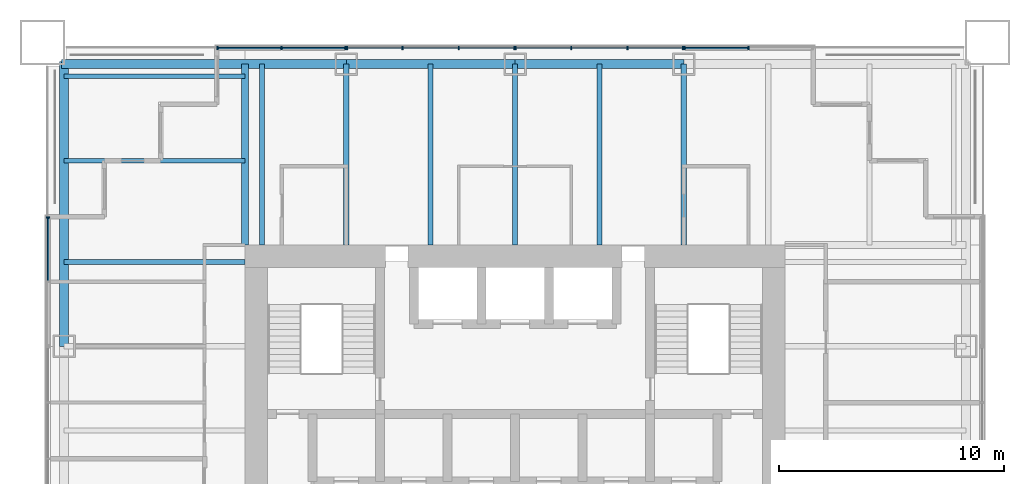
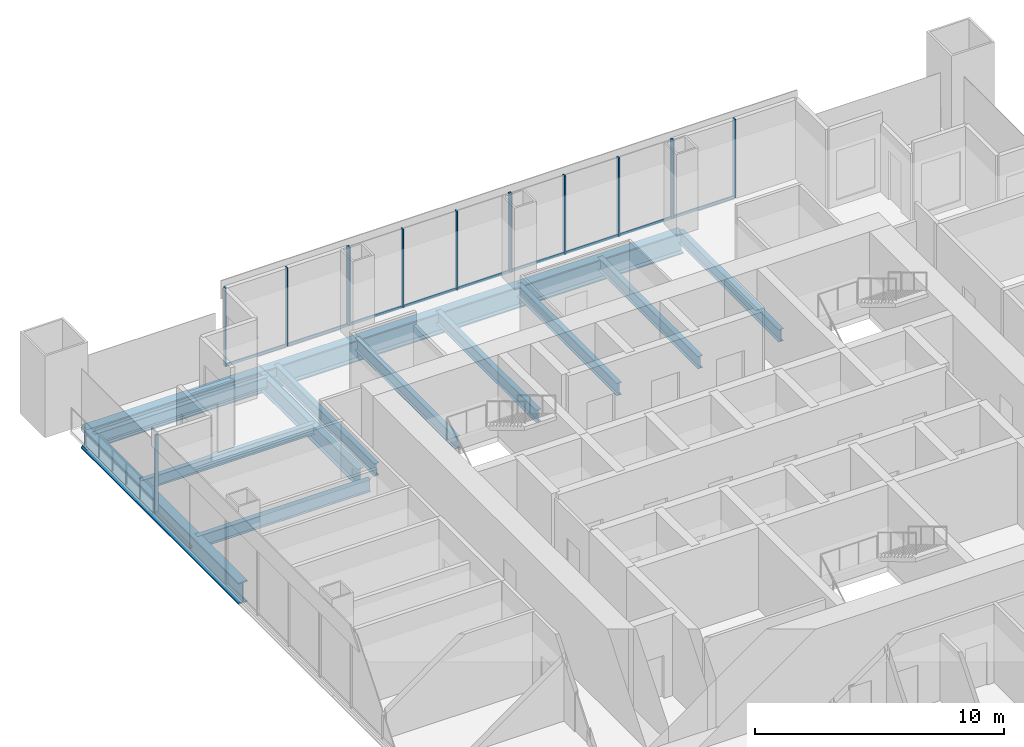
# One storey, part 6 of 14: 24 members, 14 beams, 5 elements without a shape of their own.
"""IFC4 building model written with IfcOpenShell, lengths in metres."""

from ifc_helpers import new_model, si_unit, direction, frame, origin, origin_2d, place, context, subcontext, project, spatial, rectangle, i_section, extrude, material, material_profile, profile_set, type_object, element, aggregate, save


model = new_model("IFC4")

# Units and contexts
model_context = context("Model", 3, precision=1e-05, world=origin(), true_north=direction((0.0, 1.0)))
body_context = subcontext(model_context, "Body", "Model", "MODEL_VIEW")
ifc_project = project(units=[si_unit("LENGTHUNIT", "METRE"), si_unit("AREAUNIT", "SQUARE_METRE"), si_unit("VOLUMEUNIT", "CUBIC_METRE"), si_unit("PLANEANGLEUNIT", "RADIAN"), si_unit("MASSUNIT", "GRAM", prefix="KILO")], contexts=[model_context])

# Site, building, storey
site_placement = place(None, origin())
site = spatial("IfcSite", under=ifc_project, at=site_placement, CompositionType="ELEMENT")
building_placement = place(site_placement, origin())
building = spatial("IfcBuilding", under=site, at=building_placement, Name="Tarangal Relay Tower", CompositionType="ELEMENT")
storey_placement = place(building_placement, frame((0.0, 0.0, 303.89990234375)))
storey = spatial("IfcBuildingStorey", under=building, at=storey_placement, Name="L67", CompositionType="ELEMENT", Elevation=303.89990234375)

# Beams
ifc_material_1 = material(Name="Steel ASTM A992", Category="steel")
ifc_material_profile_1 = material_profile(ifc_material_1, i_section(OverallWidth=0.209228515625, OverallDepth=0.533447265625, WebThickness=0.01025390625, FlangeThickness=0.015625, at=origin_2d()), Name="W21X62")
ifc_profile_set_1 = profile_set([ifc_material_profile_1], Name="Steel ASTM A992")
beam_type_1 = type_object("IfcBeamType", Name="Corner beam W21X62", PredefinedType="JOIST", material=ifc_profile_set_1)
for number, where, z_axis, x_axis, name in (
    (1, (-12.0, 15.75, -0.41650390625), (-1.0, 0.0, 0.0), (0.0, -1.0, 0.0), "Corner beam CB12 W L67"),
    (2, (-12.0, 19.5, -0.41650390625), (-1.0, 0.0, 0.0), (0.0, -1.0, 0.0), "Corner beam CB12 W L67"),
):
    element("IfcBeam", number, at=place(storey_placement, frame(where, z_axis=z_axis, x_axis=x_axis)), inside=storey, type_object=beam_type_1, Name=name, PredefinedType="JOIST", context=body_context, shape_type="SweptSolid", body=[
        extrude(i_section(OverallWidth=0.209228515625, OverallDepth=0.533447265625, WebThickness=0.01025390625, FlangeThickness=0.015625, at=origin_2d()), origin(), (0.0, 0.0, 1.0), 8.0400390625),
    ])
ifc_material_profile_2 = material_profile(ifc_material_1, i_section(OverallWidth=0.2919921875, OverallDepth=0.8408203125, WebThickness=0.0146484375, FlangeThickness=0.021728515625, at=origin_2d()), Name="W33X130")
ifc_profile_set_2 = profile_set([ifc_material_profile_2], Name="Steel ASTM A992")
beam_type_2 = type_object("IfcBeamType", Name="Corner girder W33X130", PredefinedType="BEAM", material=ifc_profile_set_2)
beam_1_placement = place(storey_placement, frame((-12.0, 12.0, -0.5703125), z_axis=(0.0, 1.0, 0.0), x_axis=(-1.0, 0.0, 0.0)))
element("IfcBeam", 3, at=beam_1_placement, inside=storey, type_object=beam_type_2, Name="Corner girder CG5 W L67", PredefinedType="BEAM", context=body_context, shape_type="SweptSolid", body=[
    extrude(i_section(OverallWidth=0.2919921875, OverallDepth=0.8408203125, WebThickness=0.0146484375, FlangeThickness=0.021728515625, at=origin_2d()), origin(), (0.0, 0.0, 1.0), 8.0400390625),
])
ifc_material_profile_3 = material_profile(ifc_material_1, i_section(OverallWidth=0.41162109375, OverallDepth=1.049072265625, WebThickness=0.033935546875, FlangeThickness=0.059814453125, at=origin_2d()), Name="W40X431")
ifc_profile_set_3 = profile_set([ifc_material_profile_3], Name="Steel ASTM A992")
beam_type_3 = type_object("IfcBeamType", Name="Edge girder W40X431", PredefinedType="SPANDREL", material=ifc_profile_set_3)
beam_2_placement = place(storey_placement, frame((-20.14990234375, 20.0400390625, -0.67431640625), z_axis=(1.0, 0.0, 0.0), x_axis=(0.0, 1.0, 0.0)))
element("IfcBeam", 4, at=beam_2_placement, inside=storey, type_object=beam_type_3, Name="Edge girder EG1 N L67", PredefinedType="SPANDREL", context=body_context, shape_type="SweptSolid", body=[
    extrude(i_section(OverallWidth=0.41162109375, OverallDepth=1.049072265625, WebThickness=0.033935546875, FlangeThickness=0.059814453125, at=origin_2d()), origin(), (0.0, 0.0, 1.0), 12.64990234375),
])
for number, where, z_axis, x_axis, name in (
    (5, (-7.5, 20.0400390625, -0.67431640625), (1.0, 0.0, 0.0), (0.0, 1.0, 0.0), "Edge girder EG1 N L67"),
    (6, (0.0, 20.0400390625, -0.67431640625), (1.0, 0.0, 0.0), (0.0, 1.0, 0.0), "Edge girder EG1 N L67"),
):
    element("IfcBeam", number, at=place(storey_placement, frame(where, z_axis=z_axis, x_axis=x_axis)), inside=storey, type_object=beam_type_3, Name=name, PredefinedType="SPANDREL", context=body_context, shape_type="SweptSolid", body=[
        extrude(i_section(OverallWidth=0.41162109375, OverallDepth=1.049072265625, WebThickness=0.033935546875, FlangeThickness=0.059814453125, at=origin_2d()), origin(), (0.0, 0.0, 1.0), 7.5),
    ])
beam_3_placement = place(storey_placement, frame((-20.0400390625, 7.5, -0.67431640625), z_axis=(0.0, 1.0, 0.0), x_axis=(-1.0, 0.0, 0.0)))
element("IfcBeam", 7, at=beam_3_placement, inside=storey, type_object=beam_type_3, Name="Edge girder EG1 W L67", PredefinedType="SPANDREL", context=body_context, shape_type="SweptSolid", body=[
    extrude(i_section(OverallWidth=0.41162109375, OverallDepth=1.049072265625, WebThickness=0.033935546875, FlangeThickness=0.059814453125, at=origin_2d()), origin(), (0.0, 0.0, 1.0), 12.64990234375),
])
ifc_material_profile_4 = material_profile(ifc_material_1, i_section(OverallWidth=0.228271484375, OverallDepth=0.607177734375, WebThickness=0.01123046875, FlangeThickness=0.017333984375, at=origin_2d()), Name="W24X76")
ifc_profile_set_4 = profile_set([ifc_material_profile_4], Name="Steel ASTM A992")
beam_type_4 = type_object("IfcBeamType", Name="Floor beam W24X76", PredefinedType="BEAM", material=ifc_profile_set_4)
for number, where, z_axis, x_axis, name in (
    (8, (-11.25, 12.0, -0.453369140625), (0.0, 1.0, 0.0), (-1.0, 0.0, 0.0), "Floor beam RB5 N L67"),
    (9, (-7.5, 12.0, -0.453369140625), (0.0, 1.0, 0.0), (-1.0, 0.0, 0.0), "Floor beam RB5 N L67"),
    (10, (-3.75, 12.0, -0.453369140625), (0.0, 1.0, 0.0), (-1.0, 0.0, 0.0), "Floor beam RB5 N L67"),
    (11, (0.0, 12.0, -0.453369140625), (0.0, 1.0, 0.0), (-1.0, 0.0, 0.0), "Floor beam RB5 N L67"),
    (12, (3.75, 12.0, -0.453369140625), (0.0, 1.0, 0.0), (-1.0, 0.0, 0.0), "Floor beam RB5 N L67"),
    (13, (7.5, 12.0, -0.453369140625), (0.0, 1.0, 0.0), (-1.0, 0.0, 0.0), "Floor beam RB5 N L67"),
    (14, (-12.0, 11.25, -0.453369140625), (-1.0, 0.0, 0.0), (0.0, -1.0, 0.0), "Floor beam RB5 W L67"),
):
    element("IfcBeam", number, at=place(storey_placement, frame(where, z_axis=z_axis, x_axis=x_axis)), inside=storey, type_object=beam_type_4, Name=name, PredefinedType="BEAM", context=body_context, shape_type="SweptSolid", body=[
        extrude(i_section(OverallWidth=0.228271484375, OverallDepth=0.607177734375, WebThickness=0.01123046875, FlangeThickness=0.017333984375, at=origin_2d()), origin(), (0.0, 0.0, 1.0), 8.0400390625),
    ])

# Curtain wall, members
ifc_material_2 = material(Name="Unitised curtain wall, dark glass and black aluminium", Category="aluminium")
curtain_wall_type_1 = type_object("IfcCurtainWallType", Name="Curtain wall CW-B", PredefinedType="USERDEFINED", material=ifc_material_2)
curtain_wall_1_placement = place(storey_placement, origin())
curtain_wall_1 = element("IfcCurtainWall", 15, at=curtain_wall_1_placement, inside=storey, type_object=curtain_wall_type_1, Name="Curtain wall CW-B N facade L67", ObjectType="UNITISED CURTAIN WALL", PredefinedType="USERDEFINED")
ifc_material_3 = material(Name="Black anodised aluminium mullion", Category="aluminium")
ifc_material_profile_5 = material_profile(ifc_material_3, rectangle(XDim=0.159912109375, YDim=0.06005859375, at=origin_2d()), Name="CW-BM 60X160")
ifc_profile_set_5 = profile_set([ifc_material_profile_5], Name="Black anodised aluminium mullion")
member_type_1 = type_object("IfcMemberType", Name="Mullion CW-B 60 x 160", PredefinedType="MULLION", material=ifc_profile_set_5)
member_1_placement = place(storey_placement, frame((-7.469970703125, 20.75, 0.0), z_axis=(0.0, 0.0, 1.0), x_axis=(0.0, 1.0, 0.0)))
member_1 = element("IfcMember", 16, at=member_1_placement, type_object=member_type_1, Name="CW-B mullion 1", PredefinedType="MULLION", context=body_context, shape_type="SweptSolid", body=[
    extrude(rectangle(XDim=0.159912109375, YDim=0.06005859375, at=origin_2d()), origin(), (0.0, 0.0, 1.0), 3.85009765625),
])
member_2_placement = place(storey_placement, frame((-5.0, 20.75, 0.0), z_axis=(0.0, 0.0, 1.0), x_axis=(0.0, 1.0, 0.0)))
member_2 = element("IfcMember", 17, at=member_2_placement, type_object=member_type_1, Name="CW-B mullion 2", PredefinedType="MULLION", context=body_context, shape_type="SweptSolid", body=[
    extrude(rectangle(XDim=0.159912109375, YDim=0.06005859375, at=origin_2d()), origin(), (0.0, 0.0, 1.0), 3.85009765625),
])
member_3_placement = place(storey_placement, frame((-2.5, 20.75, 0.0), z_axis=(0.0, 0.0, 1.0), x_axis=(0.0, 1.0, 0.0)))
member_3 = element("IfcMember", 18, at=member_3_placement, type_object=member_type_1, Name="CW-B mullion 3", PredefinedType="MULLION", context=body_context, shape_type="SweptSolid", body=[
    extrude(rectangle(XDim=0.159912109375, YDim=0.06005859375, at=origin_2d()), origin(), (0.0, 0.0, 1.0), 3.85009765625),
])
member_4_placement = place(storey_placement, frame((-0.030029296875, 20.75, 0.0), z_axis=(0.0, 0.0, 1.0), x_axis=(0.0, 1.0, 0.0)))
member_4 = element("IfcMember", 19, at=member_4_placement, type_object=member_type_1, Name="CW-B mullion 4", PredefinedType="MULLION", context=body_context, shape_type="SweptSolid", body=[
    extrude(rectangle(XDim=0.159912109375, YDim=0.06005859375, at=origin_2d()), origin(), (0.0, 0.0, 1.0), 3.85009765625),
])

curtain_wall_2_placement = place(storey_placement, origin())
curtain_wall_2 = element("IfcCurtainWall", 20, at=curtain_wall_2_placement, inside=storey, type_object=curtain_wall_type_1, Name="Curtain wall CW-B N facade L67", ObjectType="UNITISED CURTAIN WALL", PredefinedType="USERDEFINED")
member_5_placement = place(storey_placement, frame((0.030029296875, 20.75, 0.0), z_axis=(0.0, 0.0, 1.0), x_axis=(0.0, 1.0, 0.0)))
member_5 = element("IfcMember", 21, at=member_5_placement, type_object=member_type_1, Name="CW-B mullion 1", PredefinedType="MULLION", context=body_context, shape_type="SweptSolid", body=[
    extrude(rectangle(XDim=0.159912109375, YDim=0.06005859375, at=origin_2d()), origin(), (0.0, 0.0, 1.0), 3.85009765625),
])
member_6_placement = place(storey_placement, frame((2.5, 20.75, 0.0), z_axis=(0.0, 0.0, 1.0), x_axis=(0.0, 1.0, 0.0)))
member_6 = element("IfcMember", 22, at=member_6_placement, type_object=member_type_1, Name="CW-B mullion 2", PredefinedType="MULLION", context=body_context, shape_type="SweptSolid", body=[
    extrude(rectangle(XDim=0.159912109375, YDim=0.06005859375, at=origin_2d()), origin(), (0.0, 0.0, 1.0), 3.85009765625),
])
member_7_placement = place(storey_placement, frame((5.0, 20.75, 0.0), z_axis=(0.0, 0.0, 1.0), x_axis=(0.0, 1.0, 0.0)))
member_7 = element("IfcMember", 23, at=member_7_placement, type_object=member_type_1, Name="CW-B mullion 3", PredefinedType="MULLION", context=body_context, shape_type="SweptSolid", body=[
    extrude(rectangle(XDim=0.159912109375, YDim=0.06005859375, at=origin_2d()), origin(), (0.0, 0.0, 1.0), 3.85009765625),
])
member_8_placement = place(storey_placement, frame((7.469970703125, 20.75, 0.0), z_axis=(0.0, 0.0, 1.0), x_axis=(0.0, 1.0, 0.0)))
member_8 = element("IfcMember", 24, at=member_8_placement, type_object=member_type_1, Name="CW-B mullion 4", PredefinedType="MULLION", context=body_context, shape_type="SweptSolid", body=[
    extrude(rectangle(XDim=0.159912109375, YDim=0.06005859375, at=origin_2d()), origin(), (0.0, 0.0, 1.0), 3.85009765625),
])

ifc_material_4 = material(Name="Unitised curtain wall frame, black aluminium, with metal clad infill walls", Category="aluminium")
curtain_wall_type_2 = type_object("IfcCurtainWallType", Name="Curtain wall CW-BO", PredefinedType="USERDEFINED", material=ifc_material_4)
curtain_wall_3_placement = place(storey_placement, origin())
curtain_wall_3 = element("IfcCurtainWall", 25, at=curtain_wall_3_placement, inside=storey, type_object=curtain_wall_type_2, Name="Curtain wall CW-BO N facade L67", ObjectType="UNITISED CURTAIN WALL", PredefinedType="USERDEFINED")
ifc_material_profile_6 = material_profile(ifc_material_3, rectangle(XDim=0.159912109375, YDim=0.06005859375, at=origin_2d()), Name="CW-BOM 60X160")
ifc_profile_set_6 = profile_set([ifc_material_profile_6], Name="Black anodised aluminium mullion")
member_type_2 = type_object("IfcMemberType", Name="Mullion CW-BO 60 x 160", PredefinedType="MULLION", material=ifc_profile_set_6)
member_9_placement = place(storey_placement, frame((-13.219970703125, 20.75, 0.0), z_axis=(0.0, 0.0, 1.0), x_axis=(0.0, 1.0, 0.0)))
member_9 = element("IfcMember", 26, at=member_9_placement, type_object=member_type_2, Name="CW-BO mullion 1", PredefinedType="MULLION", context=body_context, shape_type="SweptSolid", body=[
    extrude(rectangle(XDim=0.159912109375, YDim=0.06005859375, at=origin_2d()), origin(), (0.0, 0.0, 1.0), 3.85009765625),
])
member_10_placement = place(storey_placement, frame((-10.375, 20.75, 0.0), z_axis=(0.0, 0.0, 1.0), x_axis=(0.0, 1.0, 0.0)))
member_10 = element("IfcMember", 27, at=member_10_placement, type_object=member_type_2, Name="CW-BO mullion 2", PredefinedType="MULLION", context=body_context, shape_type="SweptSolid", body=[
    extrude(rectangle(XDim=0.159912109375, YDim=0.06005859375, at=origin_2d()), origin(), (0.0, 0.0, 1.0), 3.85009765625),
])
member_11_placement = place(storey_placement, frame((-7.530029296875, 20.75, 0.0), z_axis=(0.0, 0.0, 1.0), x_axis=(0.0, 1.0, 0.0)))
member_11 = element("IfcMember", 28, at=member_11_placement, type_object=member_type_2, Name="CW-BO mullion 3", PredefinedType="MULLION", context=body_context, shape_type="SweptSolid", body=[
    extrude(rectangle(XDim=0.159912109375, YDim=0.06005859375, at=origin_2d()), origin(), (0.0, 0.0, 1.0), 3.85009765625),
])

curtain_wall_4_placement = place(storey_placement, origin())
curtain_wall_4 = element("IfcCurtainWall", 29, at=curtain_wall_4_placement, inside=storey, type_object=curtain_wall_type_2, Name="Curtain wall CW-BO N facade L67", ObjectType="UNITISED CURTAIN WALL", PredefinedType="USERDEFINED")
member_12_placement = place(storey_placement, frame((7.530029296875, 20.75, 0.0), z_axis=(0.0, 0.0, 1.0), x_axis=(0.0, 1.0, 0.0)))
member_12 = element("IfcMember", 30, at=member_12_placement, type_object=member_type_2, Name="CW-BO mullion 1", PredefinedType="MULLION", context=body_context, shape_type="SweptSolid", body=[
    extrude(rectangle(XDim=0.159912109375, YDim=0.06005859375, at=origin_2d()), origin(), (0.0, 0.0, 1.0), 3.85009765625),
])
member_13_placement = place(storey_placement, frame((10.375, 20.75, 0.0), z_axis=(0.0, 0.0, 1.0), x_axis=(0.0, 1.0, 0.0)))
member_13 = element("IfcMember", 31, at=member_13_placement, type_object=member_type_2, Name="CW-BO mullion 2", PredefinedType="MULLION", context=body_context, shape_type="SweptSolid", body=[
    extrude(rectangle(XDim=0.159912109375, YDim=0.06005859375, at=origin_2d()), origin(), (0.0, 0.0, 1.0), 3.85009765625),
])

# Curtain wall, member
curtain_wall_5_placement = place(storey_placement, origin())
curtain_wall_5 = element("IfcCurtainWall", 32, at=curtain_wall_5_placement, inside=storey, type_object=curtain_wall_type_2, Name="Curtain wall CW-BO W facade L67", ObjectType="UNITISED CURTAIN WALL", PredefinedType="USERDEFINED")
member_14_placement = place(storey_placement, frame((-20.75, 13.219970703125, 0.0), z_axis=(0.0, 0.0, 1.0), x_axis=(-1.0, 0.0, 0.0)))
member_14 = element("IfcMember", 33, at=member_14_placement, type_object=member_type_2, Name="CW-BO mullion 3", PredefinedType="MULLION", context=body_context, shape_type="SweptSolid", body=[
    extrude(rectangle(XDim=0.159912109375, YDim=0.06005859375, at=origin_2d()), origin(), (0.0, 0.0, 1.0), 3.85009765625),
])

# Member
ifc_material_5 = material(Name="Black anodised aluminium transom", Category="aluminium")
ifc_material_profile_7 = material_profile(ifc_material_5, rectangle(XDim=0.06005859375, YDim=0.1298828125, at=origin_2d()), Name="CW-BT 60X130")
ifc_profile_set_7 = profile_set([ifc_material_profile_7], Name="Black anodised aluminium transom")
member_type_3 = type_object("IfcMemberType", Name="Transom CW-B 60 x 130", PredefinedType="USERDEFINED", material=ifc_profile_set_7)
member_15_placement = place(storey_placement, frame((-7.43994140625, 20.75, 0.030029296875), z_axis=(1.0, 0.0, 0.0), x_axis=(0.0, 1.0, 0.0)))
member_15 = element("IfcMember", 34, at=member_15_placement, type_object=member_type_3, Name="CW-B transom 1.1", ObjectType="TRANSOM", PredefinedType="USERDEFINED", context=body_context, shape_type="SweptSolid", body=[
    extrude(rectangle(XDim=0.06005859375, YDim=0.1298828125, at=origin_2d()), origin(), (0.0, 0.0, 1.0), 2.409912109375),
])

member_16_placement = place(storey_placement, frame((-4.969970703125, 20.75, 0.030029296875), z_axis=(1.0, 0.0, 0.0), x_axis=(0.0, 1.0, 0.0)))
member_16 = element("IfcMember", 35, at=member_16_placement, type_object=member_type_3, Name="CW-B transom 2.1", ObjectType="TRANSOM", PredefinedType="USERDEFINED", context=body_context, shape_type="SweptSolid", body=[
    extrude(rectangle(XDim=0.06005859375, YDim=0.1298828125, at=origin_2d()), origin(), (0.0, 0.0, 1.0), 2.43994140625),
])

member_17_placement = place(storey_placement, frame((-2.469970703125, 20.75, 0.030029296875), z_axis=(1.0, 0.0, 0.0), x_axis=(0.0, 1.0, 0.0)))
member_17 = element("IfcMember", 36, at=member_17_placement, type_object=member_type_3, Name="CW-B transom 3.1", ObjectType="TRANSOM", PredefinedType="USERDEFINED", context=body_context, shape_type="SweptSolid", body=[
    extrude(rectangle(XDim=0.06005859375, YDim=0.1298828125, at=origin_2d()), origin(), (0.0, 0.0, 1.0), 2.409912109375),
])

aggregate(curtain_wall_1, [member_1, member_2, member_3, member_4, member_15, member_16, member_17])

member_18_placement = place(storey_placement, frame((0.06005859375, 20.75, 0.030029296875), z_axis=(1.0, 0.0, 0.0), x_axis=(0.0, 1.0, 0.0)))
member_18 = element("IfcMember", 37, at=member_18_placement, type_object=member_type_3, Name="CW-B transom 1.1", ObjectType="TRANSOM", PredefinedType="USERDEFINED", context=body_context, shape_type="SweptSolid", body=[
    extrude(rectangle(XDim=0.06005859375, YDim=0.1298828125, at=origin_2d()), origin(), (0.0, 0.0, 1.0), 2.409912109375),
])

member_19_placement = place(storey_placement, frame((2.530029296875, 20.75, 0.030029296875), z_axis=(1.0, 0.0, 0.0), x_axis=(0.0, 1.0, 0.0)))
member_19 = element("IfcMember", 38, at=member_19_placement, type_object=member_type_3, Name="CW-B transom 2.1", ObjectType="TRANSOM", PredefinedType="USERDEFINED", context=body_context, shape_type="SweptSolid", body=[
    extrude(rectangle(XDim=0.06005859375, YDim=0.1298828125, at=origin_2d()), origin(), (0.0, 0.0, 1.0), 2.43994140625),
])

member_20_placement = place(storey_placement, frame((5.030029296875, 20.75, 0.030029296875), z_axis=(1.0, 0.0, 0.0), x_axis=(0.0, 1.0, 0.0)))
member_20 = element("IfcMember", 39, at=member_20_placement, type_object=member_type_3, Name="CW-B transom 3.1", ObjectType="TRANSOM", PredefinedType="USERDEFINED", context=body_context, shape_type="SweptSolid", body=[
    extrude(rectangle(XDim=0.06005859375, YDim=0.1298828125, at=origin_2d()), origin(), (0.0, 0.0, 1.0), 2.409912109375),
])

aggregate(curtain_wall_2, [member_5, member_6, member_7, member_8, member_18, member_19, member_20])

ifc_material_profile_8 = material_profile(ifc_material_5, rectangle(XDim=0.06005859375, YDim=0.1298828125, at=origin_2d()), Name="CW-BOT 60X130")
ifc_profile_set_8 = profile_set([ifc_material_profile_8], Name="Black anodised aluminium transom")
member_type_4 = type_object("IfcMemberType", Name="Transom CW-BO 60 x 130", PredefinedType="USERDEFINED", material=ifc_profile_set_8)
member_21_placement = place(storey_placement, frame((-13.18994140625, 20.75, 0.030029296875), z_axis=(1.0, 0.0, 0.0), x_axis=(0.0, 1.0, 0.0)))
member_21 = element("IfcMember", 40, at=member_21_placement, type_object=member_type_4, Name="CW-BO transom 1.1", ObjectType="TRANSOM", PredefinedType="USERDEFINED", context=body_context, shape_type="SweptSolid", body=[
    extrude(rectangle(XDim=0.06005859375, YDim=0.1298828125, at=origin_2d()), origin(), (0.0, 0.0, 1.0), 2.784912109375),
])

member_22_placement = place(storey_placement, frame((-10.344970703125, 20.75, 0.030029296875), z_axis=(1.0, 0.0, 0.0), x_axis=(0.0, 1.0, 0.0)))
member_22 = element("IfcMember", 41, at=member_22_placement, type_object=member_type_4, Name="CW-BO transom 2.1", ObjectType="TRANSOM", PredefinedType="USERDEFINED", context=body_context, shape_type="SweptSolid", body=[
    extrude(rectangle(XDim=0.06005859375, YDim=0.1298828125, at=origin_2d()), origin(), (0.0, 0.0, 1.0), 2.784912109375),
])

aggregate(curtain_wall_3, [member_9, member_10, member_11, member_21, member_22])

member_23_placement = place(storey_placement, frame((7.56005859375, 20.75, 0.030029296875), z_axis=(1.0, 0.0, 0.0), x_axis=(0.0, 1.0, 0.0)))
member_23 = element("IfcMember", 42, at=member_23_placement, type_object=member_type_4, Name="CW-BO transom 1.1", ObjectType="TRANSOM", PredefinedType="USERDEFINED", context=body_context, shape_type="SweptSolid", body=[
    extrude(rectangle(XDim=0.06005859375, YDim=0.1298828125, at=origin_2d()), origin(), (0.0, 0.0, 1.0), 2.784912109375),
])

aggregate(curtain_wall_4, [member_12, member_13, member_23])

member_24_placement = place(storey_placement, frame((-20.75, 10.405029296875, 0.030029296875), z_axis=(0.0, 1.0, 0.0), x_axis=(-1.0, 0.0, 0.0)))
member_24 = element("IfcMember", 43, at=member_24_placement, type_object=member_type_4, Name="CW-BO transom 2.1", ObjectType="TRANSOM", PredefinedType="USERDEFINED", context=body_context, shape_type="SweptSolid", body=[
    extrude(rectangle(XDim=0.06005859375, YDim=0.1298828125, at=origin_2d()), origin(), (0.0, 0.0, 1.0), 2.784912109375),
])

aggregate(curtain_wall_5, [member_14, member_24])

save(model, "model.ifc")
